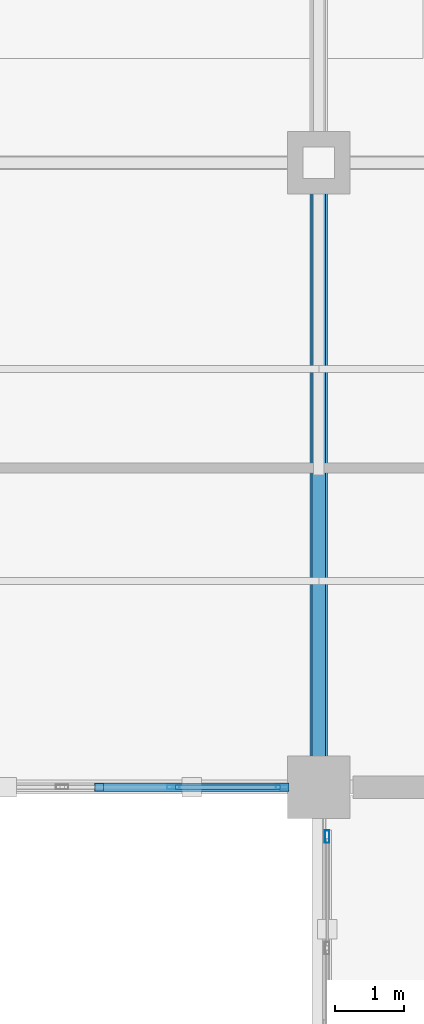
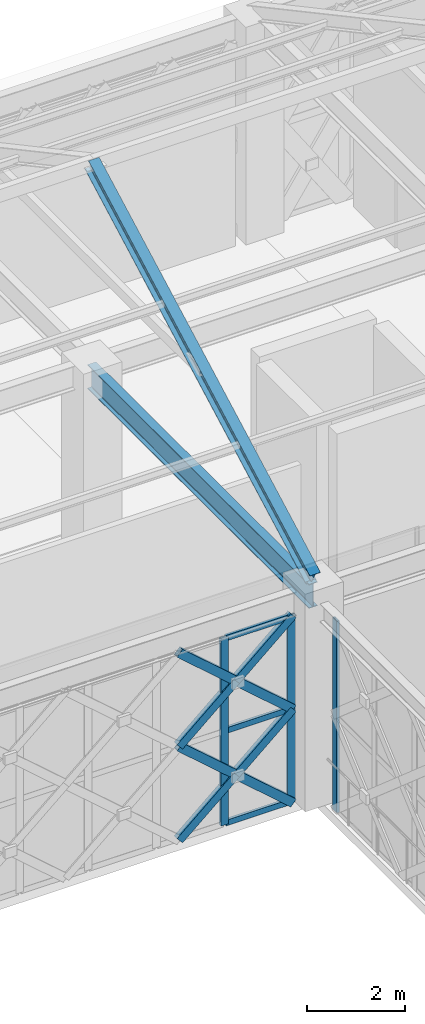
# One storey, part 58 of 166: 13 members, 1 beam, 2 elements without a shape of their own.
"""IFC4 building model written with IfcOpenShell, lengths in metres."""

from ifc_helpers import new_model, si_unit, direction, frame, origin, origin_2d, place, context, subcontext, project, spatial, hollow_rectangle, i_section, extrude, material, material_profile, profile_set, type_object, element, aggregate, save


model = new_model("IFC4")

# Units and contexts
model_context = context("Model", 3, precision=1e-05, world=origin(), true_north=direction((0.0, 1.0)))
body_context = subcontext(model_context, "Body", "Model", "MODEL_VIEW")
ifc_project = project(units=[si_unit("LENGTHUNIT", "METRE"), si_unit("AREAUNIT", "SQUARE_METRE"), si_unit("VOLUMEUNIT", "CUBIC_METRE"), si_unit("PLANEANGLEUNIT", "RADIAN"), si_unit("MASSUNIT", "GRAM", prefix="KILO")], contexts=[model_context])

# Site, building, storey
site_placement = place(None, origin())
site = spatial("IfcSite", under=ifc_project, at=site_placement, CompositionType="ELEMENT")
building_placement = place(site_placement, origin())
building = spatial("IfcBuilding", under=site, at=building_placement, Name="Haizhuo Lancet Aquarium", CompositionType="ELEMENT")
storey_placement = place(building_placement, frame((0.0, 0.0, 5.39990234375)))
storey = spatial("IfcBuildingStorey", under=building, at=storey_placement, Name="L01", CompositionType="ELEMENT", Elevation=5.39990234375)

# Beam
ifc_material_1 = material(Name="Steel S355", Category="steel")
ifc_material_profile_1 = material_profile(ifc_material_1, i_section(OverallWidth=0.199951171875, OverallDepth=0.60009765625, WebThickness=0.010986328125, FlangeThickness=0.01708984375, FilletRadius=0.02197265625, at=origin_2d()), Name="HN 600x200x11x17")
ifc_profile_set_1 = profile_set([ifc_material_profile_1], Name="Steel S355")
beam_type = type_object("IfcBeamType", Name="BM-ST-HN600", PredefinedType="BEAM", material=ifc_profile_set_1)
beam_placement = place(storey_placement, frame((-63.0, 9.0, 4.9501953125), z_axis=(0.0, 1.0, 0.0), x_axis=(-1.0, 0.0, 0.0)))
element("IfcBeam", 1, at=beam_placement, inside=storey, type_object=beam_type, Name="L01 V2 primary girder BM-L01-V2-009", PredefinedType="BEAM", context=body_context, shape_type="SweptSolid", body=[
    extrude(i_section(OverallWidth=0.199951171875, OverallDepth=0.60009765625, WebThickness=0.010986328125, FlangeThickness=0.01708984375, FilletRadius=0.02197265625, at=origin_2d()), origin(), (0.0, 0.0, 1.0), 9.0),
])

# Curtain wall, members
ifc_material_2 = material(Name="Aluminium 6063-T6", Category="aluminium")
curtain_wall_type_1 = type_object("IfcCurtainWallType", Name="CWO-8010x4650", PredefinedType="NOTDEFINED", material=ifc_material_2)
curtain_wall_1_placement = place(storey_placement, origin())
curtain_wall_1 = element("IfcCurtainWall", 2, at=curtain_wall_1_placement, inside=storey, type_object=curtain_wall_type_1, Name="L01 curtain wall CW-V2-L01-028", PredefinedType="NOTDEFINED")
ifc_material_profile_2 = material_profile(ifc_material_2, hollow_rectangle(XDim=0.06494140625, YDim=0.179931640625, WallThickness=0.00390625, at=origin_2d()), Name="ALU-M 65x180x4")
ifc_profile_set_2 = profile_set([ifc_material_profile_2], Name="Aluminium 6063-T6")
member_type_1 = type_object("IfcMemberType", Name="CW-MUL-1", PredefinedType="MULLION", material=ifc_profile_set_2)
member_1_placement = place(storey_placement, frame((-63.527099609375, 9.0, 0.0), z_axis=(0.0, 0.0, 1.0), x_axis=(0.0, -1.0, 0.0)))
member_1 = element("IfcMember", 3, at=member_1_placement, type_object=member_type_1, Name="CWO-80x46 mullion 1", PredefinedType="MULLION", context=body_context, shape_type="SweptSolid", body=[
    extrude(hollow_rectangle(XDim=0.06494140625, YDim=0.179931640625, WallThickness=0.00390625, at=origin_2d()), origin(), (0.0, 0.0, 1.0), 4.650146484375),
])
member_2_placement = place(storey_placement, frame((-65.096923828125, 9.0, 0.0), z_axis=(0.0, 0.0, 1.0), x_axis=(0.0, -1.0, 0.0)))
member_2 = element("IfcMember", 4, at=member_2_placement, type_object=member_type_1, Name="CWO-80x46 mullion 2", PredefinedType="MULLION", context=body_context, shape_type="SweptSolid", body=[
    extrude(hollow_rectangle(XDim=0.06494140625, YDim=0.179931640625, WallThickness=0.00390625, at=origin_2d()), origin(), (0.0, 0.0, 1.0), 4.650146484375),
])

# Curtain wall, member
curtain_wall_type_2 = type_object("IfcCurtainWallType", Name="CWO-8200x4750", PredefinedType="NOTDEFINED", material=ifc_material_2)
curtain_wall_2_placement = place(storey_placement, origin())
curtain_wall_2 = element("IfcCurtainWall", 5, at=curtain_wall_2_placement, inside=storey, type_object=curtain_wall_type_2, Name="L01 curtain wall CW-SB-01-W2", PredefinedType="NOTDEFINED")
member_3_placement = place(storey_placement, frame((-62.8798828125, 8.287109375, 0.0), z_axis=(0.0, 0.0, 1.0), x_axis=(-1.0, 0.0, 0.0)))
member_3 = element("IfcMember", 6, at=member_3_placement, type_object=member_type_1, Name="CWO-82x47 mullion 6", PredefinedType="MULLION", context=body_context, shape_type="SweptSolid", body=[
    extrude(hollow_rectangle(XDim=0.06494140625, YDim=0.179931640625, WallThickness=0.00390625, at=origin_2d()), origin(), (0.0, 0.0, 1.0), 4.75),
])
aggregate(curtain_wall_2, [member_3])

# Member
ifc_material_profile_3 = material_profile(ifc_material_2, hollow_rectangle(XDim=0.06494140625, YDim=0.139892578125, WallThickness=0.00390625, at=origin_2d()), Name="ALU-T 65x140x4")
ifc_profile_set_3 = profile_set([ifc_material_profile_3], Name="Aluminium 6063-T6")
member_type_2 = type_object("IfcMemberType", Name="CW-TRN-1", PredefinedType="NOTDEFINED", material=ifc_profile_set_3)
member_4_placement = place(storey_placement, frame((-63.56005859375, 9.0, 0.033203125), z_axis=(-1.0, 0.0, 0.0), x_axis=(0.0, -1.0, 0.0)))
member_4 = element("IfcMember", 7, at=member_4_placement, type_object=member_type_2, Name="CWO-80x46 transom 1.1", ObjectType="TRANSOM", PredefinedType="USERDEFINED", context=body_context, shape_type="SweptSolid", body=[
    extrude(hollow_rectangle(XDim=0.06494140625, YDim=0.139892578125, WallThickness=0.00390625, at=origin_2d()), origin(), (0.0, 0.0, 1.0), 1.50390625),
])

member_5_placement = place(storey_placement, frame((-63.56005859375, 9.0, 2.3251953125), z_axis=(-1.0, 0.0, 0.0), x_axis=(0.0, -1.0, 0.0)))
member_5 = element("IfcMember", 8, at=member_5_placement, type_object=member_type_2, Name="CWO-80x46 transom 1.2", ObjectType="TRANSOM", PredefinedType="USERDEFINED", context=body_context, shape_type="SweptSolid", body=[
    extrude(hollow_rectangle(XDim=0.06494140625, YDim=0.139892578125, WallThickness=0.00390625, at=origin_2d()), origin(), (0.0, 0.0, 1.0), 1.50390625),
])

member_6_placement = place(storey_placement, frame((-63.56005859375, 9.0, 4.6181640625), z_axis=(-1.0, 0.0, 0.0), x_axis=(0.0, -1.0, 0.0)))
member_6 = element("IfcMember", 9, at=member_6_placement, type_object=member_type_2, Name="CWO-80x46 transom 1.3", ObjectType="TRANSOM", PredefinedType="USERDEFINED", context=body_context, shape_type="SweptSolid", body=[
    extrude(hollow_rectangle(XDim=0.06494140625, YDim=0.139892578125, WallThickness=0.00390625, at=origin_2d()), origin(), (0.0, 0.0, 1.0), 1.50390625),
])

aggregate(curtain_wall_1, [member_1, member_2, member_4, member_5, member_6])

# Members
ifc_material_profile_4 = material_profile(ifc_material_1, hollow_rectangle(XDim=0.1201171875, YDim=0.199951171875, WallThickness=0.008056640625, at=origin_2d()), Name="RHS 120x200x8")
ifc_profile_set_4 = profile_set([ifc_material_profile_4], Name="Steel S355")
member_type_3 = type_object("IfcMemberType", Name="MEM-LB-RHS120x200", PredefinedType="BRACE", material=ifc_profile_set_4)
member_7_placement = place(storey_placement, frame((-63.4951171875, 9.0, 0.0), z_axis=(-0.754112442038, 0.0, 0.656745327173), x_axis=(0.0, -1.0, 0.0)))
element("IfcMember", 10, at=member_7_placement, inside=storey, type_object=member_type_3, Name="Gothic lancet continuous diagonal brace CW-V2-L01-028 1A", PredefinedType="BRACE", context=body_context, shape_type="SweptSolid", body=[
    extrude(hollow_rectangle(XDim=0.1201171875, YDim=0.199951171875, WallThickness=0.008056640625, at=origin_2d()), origin(), (0.0, 0.0, 1.0), 3.54052734375),
])
member_8_placement = place(storey_placement, frame((-66.1650390625, 9.0, 0.0), z_axis=(0.754249056755, 0.0, 0.656588425412), x_axis=(0.0, 1.0, 0.0)))
element("IfcMember", 11, at=member_8_placement, inside=storey, type_object=member_type_3, Name="Gothic lancet split diagonal brace CW-V2-L01-028 1B1", PredefinedType="BRACE", context=body_context, shape_type="SweptSolid", body=[
    extrude(hollow_rectangle(XDim=0.1201171875, YDim=0.199951171875, WallThickness=0.008056640625, at=origin_2d()), origin(), (0.0, 0.0, 1.0), 1.77001953125),
])
member_9_placement = place(storey_placement, frame((-64.830078125, 9.0, 1.162109375), z_axis=(0.753975844185, 0.0, 0.65690214369), x_axis=(0.0, 1.0, 0.0)))
element("IfcMember", 12, at=member_9_placement, inside=storey, type_object=member_type_3, Name="Gothic lancet split diagonal brace CW-V2-L01-028 1B2", PredefinedType="BRACE", context=body_context, shape_type="SweptSolid", body=[
    extrude(hollow_rectangle(XDim=0.1201171875, YDim=0.199951171875, WallThickness=0.008056640625, at=origin_2d()), origin(), (0.0, 0.0, 1.0), 1.7705078125),
])
member_10_placement = place(storey_placement, frame((-63.4951171875, 9.0, 2.3251953125), z_axis=(-0.754146594137, 0.0, 0.656706109726), x_axis=(0.0, -1.0, 0.0)))
element("IfcMember", 13, at=member_10_placement, inside=storey, type_object=member_type_3, Name="Gothic lancet continuous diagonal brace CW-V2-L01-028 2A", PredefinedType="BRACE", context=body_context, shape_type="SweptSolid", body=[
    extrude(hollow_rectangle(XDim=0.1201171875, YDim=0.199951171875, WallThickness=0.008056640625, at=origin_2d()), origin(), (0.0, 0.0, 1.0), 3.540283203125),
])
member_11_placement = place(storey_placement, frame((-66.1650390625, 9.0, 2.3251953125), z_axis=(0.754317370429, 0.0, 0.656509942552), x_axis=(0.0, 1.0, 0.0)))
element("IfcMember", 14, at=member_11_placement, inside=storey, type_object=member_type_3, Name="Gothic lancet split diagonal brace CW-V2-L01-028 2B1", PredefinedType="BRACE", context=body_context, shape_type="SweptSolid", body=[
    extrude(hollow_rectangle(XDim=0.1201171875, YDim=0.199951171875, WallThickness=0.008056640625, at=origin_2d()), origin(), (0.0, 0.0, 1.0), 1.769775390625),
])
member_12_placement = place(storey_placement, frame((-64.830078125, 9.0, 3.487060546875), z_axis=(0.753975844185, 0.0, 0.65690214369), x_axis=(0.0, 1.0, 0.0)))
element("IfcMember", 15, at=member_12_placement, inside=storey, type_object=member_type_3, Name="Gothic lancet split diagonal brace CW-V2-L01-028 2B2", PredefinedType="BRACE", context=body_context, shape_type="SweptSolid", body=[
    extrude(hollow_rectangle(XDim=0.1201171875, YDim=0.199951171875, WallThickness=0.008056640625, at=origin_2d()), origin(), (0.0, 0.0, 1.0), 1.7705078125),
])
ifc_material_profile_5 = material_profile(ifc_material_1, i_section(OverallWidth=0.25, OverallDepth=0.340087890625, WebThickness=0.009033203125, FlangeThickness=0.013916015625, FilletRadius=0.01806640625, at=origin_2d()), Name="HM 340x250x9x14")
ifc_profile_set_5 = profile_set([ifc_material_profile_5], Name="Steel S355")
member_type_4 = type_object("IfcMemberType", Name="MEM-RF-HM340", PredefinedType="RAFTER", material=ifc_profile_set_5)
member_13_placement = place(storey_placement, frame((-63.0, 9.0, 5.3701171875), z_axis=(0.0, 0.880479536064, 0.474084155581), x_axis=(-1.0, 0.0, 0.0)))
element("IfcMember", 16, at=member_13_placement, inside=storey, type_object=member_type_4, Name="V2 Gothic pitched roof south rafter 2", PredefinedType="RAFTER", context=body_context, shape_type="SweptSolid", body=[
    extrude(i_section(OverallWidth=0.25, OverallDepth=0.340087890625, WebThickness=0.009033203125, FlangeThickness=0.013916015625, FilletRadius=0.01806640625, at=origin_2d()), origin(), (0.0, 0.0, 1.0), 10.2216796875),
])

save(model, "model.ifc")
